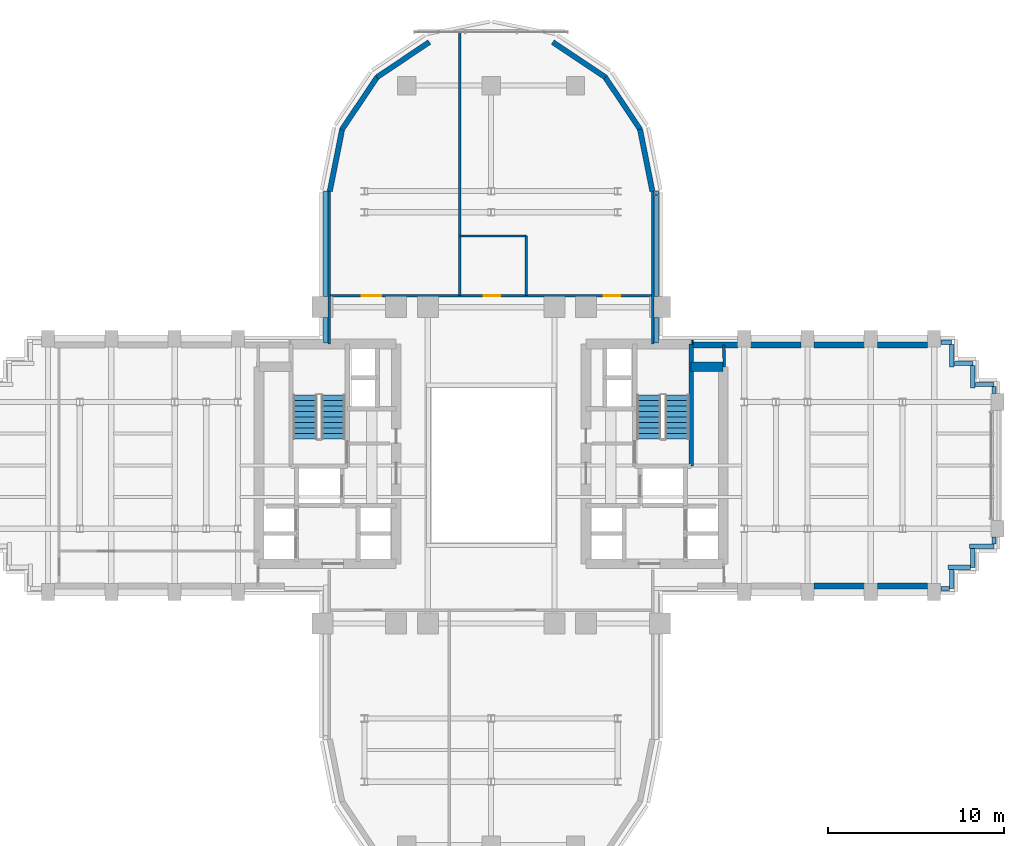
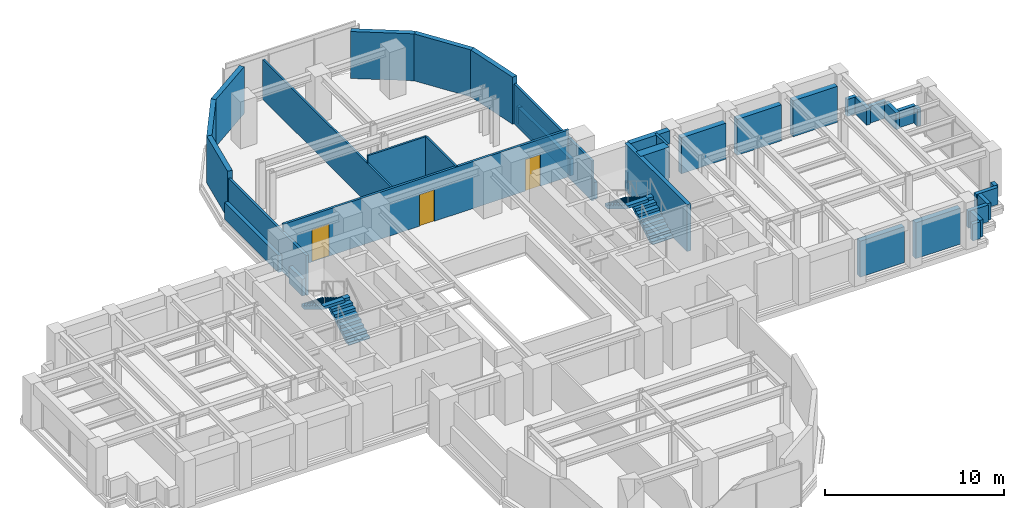
# One storey, part 12 of 16: 39 walls, 4 stair flights, 3 doors, 3 openings, 2 elements without a shape of their own.
"""IFC4 building model written with IfcOpenShell, lengths in metres."""

from ifc_helpers import new_model, si_unit, direction, frame, frame_2d, origin, place, context, subcontext, project, spatial, polyline, rectangle, outline, extrude, source, transform, mapped, material, layer, layer_set, type_object, element, fill, aggregate, save


model = new_model("IFC4")

# Units and contexts
model_context = context("Model", 3, precision=1e-05, world=origin(), true_north=direction((0.0, 1.0)))
body_context = subcontext(model_context, "Body", "Model", "MODEL_VIEW")
ifc_project = project(units=[si_unit("LENGTHUNIT", "METRE"), si_unit("AREAUNIT", "SQUARE_METRE"), si_unit("VOLUMEUNIT", "CUBIC_METRE"), si_unit("PLANEANGLEUNIT", "RADIAN"), si_unit("MASSUNIT", "GRAM", prefix="KILO")], contexts=[model_context])

# Site, building, storey
site_placement = place(None, origin())
site = spatial("IfcSite", under=ifc_project, at=site_placement, CompositionType="ELEMENT")
building_placement = place(site_placement, origin())
building = spatial("IfcBuilding", under=site, at=building_placement, Name="Keilestroom Media Tower", CompositionType="ELEMENT")
storey_placement = place(building_placement, frame((0.0, 0.0, 34.0)))
storey = spatial("IfcBuildingStorey", under=building, at=storey_placement, Name="L07", CompositionType="ELEMENT", Elevation=34.0)

# Walls
ifc_material_1 = material(Name="Precast concrete C40/50", Category="concrete")
ifc_layer_1 = layer(ifc_material_1, 0.300048828125)
ifc_layer_set_1 = layer_set([ifc_layer_1], Name="Precast concrete C40/50")
wall_type_1 = type_object("IfcWallType", Name="Exterior-Masonry-Spandrel-Wall-300", PredefinedType="SOLIDWALL", material=ifc_layer_set_1)
for number, where, z_axis, x_axis, name in (
    (1, (9.1748046875, 15.585205078125, 0.0), (0.0, 0.0, 1.0), (-0.195114232679, 0.980780523974, 0.0), "L07 Lobe Facet Precast Frame Wall 01"),
    (2, (8.48193359375, 19.097412109375, 0.0), (0.0, 0.0, 1.0), (-0.555574187116, 0.831466970246, 0.0), "L07 Lobe Facet Precast Frame Wall 02"),
):
    element("IfcWall", number, at=place(storey_placement, frame(where, z_axis=z_axis, x_axis=x_axis)), inside=storey, type_object=wall_type_1, Name=name, PredefinedType="SOLIDWALL", context=body_context, shape_type="SweptSolid", body=[
        extrude(rectangle(XDim=3.608642578125, YDim=0.300048828125, at=frame_2d((1.80419921875, 0.0))), origin(), (0.0, 0.0, 1.0), 3.199951171875),
    ])
for number, where, z_axis, x_axis, name in (
    (3, (6.497802734375, 22.0771484375, 0.0), (0.0, 0.0, 1.0), (-0.8314749531, 0.555562239868, 0.0), "L07 Lobe Facet Precast Frame Wall 03"),
    (4, (-3.510009765625, 24.073486328125, 0.0), (0.0, 0.0, 1.0), (-0.8314749531, -0.555562239868, 0.0), "L07 Lobe Facet Precast Frame Wall 04"),
):
    element("IfcWall", number, at=place(storey_placement, frame(where, z_axis=z_axis, x_axis=x_axis)), inside=storey, type_object=wall_type_1, Name=name, PredefinedType="SOLIDWALL", context=body_context, shape_type="SweptSolid", body=[
        extrude(rectangle(XDim=3.59326171875, YDim=0.300048828125, at=frame_2d((1.796630859375, 0.0))), origin(), (0.0, 0.0, 1.0), 3.199951171875),
    ])
for number, where, z_axis, x_axis, name in (
    (5, (-6.47705078125, 22.097900390625, 0.0), (0.0, 0.0, 1.0), (-0.555574187116, -0.831466970246, 0.0), "L07 Lobe Facet Precast Frame Wall 05"),
    (6, (-8.470703125, 19.12451171875, 0.0), (0.0, 0.0, 1.0), (-0.195114232679, -0.980780523974, 0.0), "L07 Lobe Facet Precast Frame Wall 06"),
):
    element("IfcWall", number, at=place(storey_placement, frame(where, z_axis=z_axis, x_axis=x_axis)), inside=storey, type_object=wall_type_1, Name=name, PredefinedType="SOLIDWALL", context=body_context, shape_type="SweptSolid", body=[
        extrude(rectangle(XDim=3.608642578125, YDim=0.300048828125, at=frame_2d((1.80419921875, 0.0))), origin(), (0.0, 0.0, 1.0), 3.199951171875),
    ])
ifc_layer_2 = layer(ifc_material_1, 0.340087890625)
ifc_layer_set_2 = layer_set([ifc_layer_2], Name="Precast concrete C40/50")
wall_type_2 = type_object("IfcWallType", Name="Exterior-Masonry-Spandrel-Wall-340", PredefinedType="SOLIDWALL", material=ifc_layer_set_2)
wall_1_placement = place(storey_placement, frame((11.498046875, 6.85009765625, 0.0), z_axis=(0.0, 0.0, 1.0), x_axis=(1.0, 0.0, 0.0)))
element("IfcWall", 7, at=wall_1_placement, inside=storey, type_object=wall_type_2, Name="L07 Flank Masonry Wall EWL-L07-NE-1", PredefinedType="SOLIDWALL", context=body_context, shape_type="SweptSolid", body=[
    extrude(rectangle(XDim=2.534912109375, YDim=0.340087890625, at=frame_2d((1.267578125, 0.0))), origin(), (0.0, 0.0, 1.0), 3.199951171875),
])
for number, where, z_axis, x_axis, name in (
    (8, (14.76708984375, 6.85009765625, 0.0), (0.0, 0.0, 1.0), (1.0, 0.0, 0.0), "L07 Flank Masonry Wall EWL-L07-NE-2"),
    (9, (18.366943359375, 6.85009765625, 0.0), (0.0, 0.0, 1.0), (1.0, 0.0, 0.0), "L07 Flank Masonry Wall EWL-L07-NE-3"),
    (10, (21.967041015625, 6.85009765625, 0.0), (0.0, 0.0, 1.0), (1.0, 0.0, 0.0), "L07 Flank Masonry Wall EWL-L07-NE-4"),
    (11, (18.366943359375, -6.85009765625, 0.0), (0.0, 0.0, 1.0), (1.0, 0.0, 0.0), "L07 Flank Masonry Wall EWL-L07-SE-3"),
    (12, (21.967041015625, -6.85009765625, 0.0), (0.0, 0.0, 1.0), (1.0, 0.0, 0.0), "L07 Flank Masonry Wall EWL-L07-SE-4"),
):
    element("IfcWall", number, at=place(storey_placement, frame(where, z_axis=z_axis, x_axis=x_axis)), inside=storey, type_object=wall_type_2, Name=name, PredefinedType="SOLIDWALL", context=body_context, shape_type="SweptSolid", body=[
        extrude(rectangle(XDim=2.865966796875, YDim=0.340087890625, at=frame_2d((1.43310546875, 0.0))), origin(), (0.0, 0.0, 1.0), 2.449951171875),
    ])
ifc_material_2 = material(Name="Gypsum Plasterboard & Steel Stud", Category="steel")
ifc_layer_3 = layer(ifc_material_2, 0.1201171875)
ifc_layer_set_3 = layer_set([ifc_layer_3], Name="Gypsum Plasterboard & Steel Stud")
wall_type_3 = type_object("IfcWallType", Name="Interior-Partition-Wall-120", PredefinedType="PARTITIONING", material=ifc_layer_set_3)
wall_2_placement = place(storey_placement, frame((-1.780029296875, 9.64990234375, 0.0), z_axis=(0.0, 0.0, 1.0), x_axis=(0.0, 1.0, 0.0)))
element("IfcWall", 13, at=wall_2_placement, inside=storey, type_object=wall_type_3, Name="L07 Interior Wall WP-L07-NL-V1", PredefinedType="PARTITIONING", context=body_context, shape_type="SweptSolid", body=[
    extrude(rectangle(XDim=15.0, YDim=0.1201171875, at=frame_2d((7.5, 0.0))), origin(), (0.0, 0.0, 1.0), 2.7099609375),
])
wall_3_placement = place(storey_placement, frame((-1.780029296875, 13.050048828125, 0.0), z_axis=(0.0, 0.0, 1.0), x_axis=(1.0, 0.0, 0.0)))
element("IfcWall", 14, at=wall_3_placement, inside=storey, type_object=wall_type_3, Name="L07 Interior Wall WP-L07-NL-WC-N", PredefinedType="PARTITIONING", context=body_context, shape_type="SweptSolid", body=[
    extrude(rectangle(XDim=3.780029296875, YDim=0.1201171875, at=frame_2d((1.89013671875, 0.0))), origin(), (0.0, 0.0, 1.0), 3.199951171875),
])
wall_4_placement = place(storey_placement, frame((2.0, 9.64990234375, 0.0), z_axis=(0.0, 0.0, 1.0), x_axis=(0.0, 1.0, 0.0)))
element("IfcWall", 15, at=wall_4_placement, inside=storey, type_object=wall_type_3, Name="L07 Interior Wall WP-L07-NL-WC-E", PredefinedType="PARTITIONING", context=body_context, shape_type="SweptSolid", body=[
    extrude(rectangle(XDim=3.400146484375, YDim=0.1201171875, at=frame_2d((1.7001953125, 0.0))), origin(), (0.0, 0.0, 1.0), 3.199951171875),
])

# Wall, openings, doors
ifc_layer_4 = layer(ifc_material_2, 0.14990234375)
ifc_layer_set_4 = layer_set([ifc_layer_4], Name="Gypsum Plasterboard & Steel Stud")
wall_type_4 = type_object("IfcWallType", Name="Interior-Partition-Wall-150", PredefinedType="PARTITIONING", material=ifc_layer_set_4)
wall_5_placement = place(storey_placement, frame((-9.199951171875, 9.64990234375, 0.0), z_axis=(0.0, 0.0, 1.0), x_axis=(1.0, 0.0, 0.0)))
wall_5 = element("IfcWall", 16, at=wall_5_placement, inside=storey, type_object=wall_type_4, Name="L07 Interior Wall WP-L07-NL-BASE", PredefinedType="PARTITIONING", context=body_context, shape_type="SweptSolid", body=[
    extrude(rectangle(XDim=18.39990234375, YDim=0.14990234375, at=frame_2d((9.199951171875, 0.0))), origin(), (0.0, 0.0, 1.0), 3.199951171875),
])
opening_1_placement = place(wall_5_placement, frame((8.77001953125, 0.0, 0.0)))
opening_1 = element("IfcOpeningElement", 17, at=opening_1_placement, cuts=wall_5, Name="Opening DI-03", PredefinedType="OPENING", context=body_context, shape_type="SweptSolid", body=[
    extrude(rectangle(XDim=0.949951171875, YDim=2.14990234375, at=frame_2d((0.47509765625, 1.074951171875))), frame((0.0, 0.0849609375, 0.0), z_axis=(0.0, -1.0, 0.0), x_axis=(1.0, 0.0, 0.0)), (0.0, 0.0, 1.0), 0.169921875),
])
opening_2_placement = place(wall_5_placement, frame((1.85009765625, 0.0, 0.0)))
opening_2 = element("IfcOpeningElement", 18, at=opening_2_placement, cuts=wall_5, Name="Opening DI-04", PredefinedType="OPENING", context=body_context, shape_type="SweptSolid", body=[
    extrude(rectangle(XDim=1.10009765625, YDim=2.199951171875, at=frame_2d((0.550048828125, 1.10009765625))), frame((0.0, 0.0849609375, 0.0), z_axis=(0.0, -1.0, 0.0), x_axis=(1.0, 0.0, 0.0)), (0.0, 0.0, 1.0), 0.169921875),
])
opening_3_placement = place(wall_5_placement, frame((15.60009765625, 0.0, 0.0)))
opening_3 = element("IfcOpeningElement", 19, at=opening_3_placement, cuts=wall_5, Name="Opening DI-03", PredefinedType="OPENING", context=body_context, shape_type="SweptSolid", body=[
    extrude(rectangle(XDim=0.949951171875, YDim=2.14990234375, at=frame_2d((0.47509765625, 1.074951171875))), frame((0.0, 0.0849609375, 0.0), z_axis=(0.0, -1.0, 0.0), x_axis=(1.0, 0.0, 0.0)), (0.0, 0.0, 1.0), 0.169921875),
])
ifc_material_3 = material(Name="Lacquered European Oak Leaf", Category="wood")
door_type_1 = type_object("IfcDoorType", Name="Interior-Room-And-Suite-Door-DI-03", OperationType="NOTDEFINED", PredefinedType="DOOR", material=ifc_material_3)
shared_shape_1 = source(origin(), body_context, "Body", "SweptSolid", [
    extrude(rectangle(XDim=0.949951171875, YDim=2.14990234375, at=frame_2d((0.47509765625, 1.074951171875))), frame((0.0, 0.02490234375, 0.0), z_axis=(0.0, -1.0, 0.0), x_axis=(1.0, 0.0, 0.0)), (0.0, 0.0, 1.0), 0.050048828125),
])
door_1_placement = place(opening_1_placement, origin())
door_1 = element("IfcDoor", 20, at=door_1_placement, inside=storey, type_object=door_type_1, Name="L07 Interior Door DI-L07-DNL-WC", OperationType="SINGLE_SWING_LEFT", OverallHeight=2.14990234375, OverallWidth=0.949951171875, PredefinedType="DOOR", context=body_context, shape_type="MappedRepresentation", body=[
    mapped(shared_shape_1, transform((0.0, 0.0, 0.0), x_axis=(1.0, 0.0, 0.0), y_axis=(0.0, 1.0, 0.0), z_axis=(0.0, 0.0, 1.0), scale=1.0)),
])
fill(opening_1, door_1)
door_2_placement = place(opening_3_placement, origin())
door_2 = element("IfcDoor", 21, at=door_2_placement, inside=storey, type_object=door_type_1, Name="L07 Interior Door DI-L07-DNL-B", OperationType="SINGLE_SWING_LEFT", OverallHeight=2.14990234375, OverallWidth=0.949951171875, PredefinedType="DOOR", context=body_context, shape_type="MappedRepresentation", body=[
    mapped(shared_shape_1, transform((0.0, 0.0, 0.0), x_axis=(1.0, 0.0, 0.0), y_axis=(0.0, 1.0, 0.0), z_axis=(0.0, 0.0, 1.0), scale=1.0)),
])
fill(opening_3, door_2)
ifc_material_4 = material(Name="Acoustic Glazed Aluminium Leaf", Category="aluminium")
door_type_2 = type_object("IfcDoorType", Name="Interior-Room-And-Suite-Door-DI-04", OperationType="NOTDEFINED", PredefinedType="DOOR", material=ifc_material_4)
shared_shape_2 = source(origin(), body_context, "Body", "SweptSolid", [
    extrude(rectangle(XDim=1.10009765625, YDim=2.199951171875, at=frame_2d((0.550048828125, 1.10009765625))), frame((0.0, 0.02490234375, 0.0), z_axis=(0.0, -1.0, 0.0), x_axis=(1.0, 0.0, 0.0)), (0.0, 0.0, 1.0), 0.050048828125),
])
door_3_placement = place(opening_2_placement, origin())
door_3 = element("IfcDoor", 22, at=door_3_placement, inside=storey, type_object=door_type_2, Name="L07 Interior Door DI-L07-DNL-A", OperationType="SINGLE_SWING_RIGHT", OverallHeight=2.199951171875, OverallWidth=1.10009765625, PredefinedType="DOOR", context=body_context, shape_type="MappedRepresentation", body=[
    mapped(shared_shape_2, transform((0.0, 0.0, 0.0), x_axis=(1.0, 0.0, 0.0), y_axis=(0.0, 1.0, 0.0), z_axis=(0.0, 0.0, 1.0), scale=1.0)),
])
fill(opening_2, door_3)

# Walls
for number, where, z_axis, x_axis, name in (
    (23, (-9.199951171875, 6.89990234375, 0.0), (0.0, 0.0, 1.0), (0.0, 1.0, 0.0), "L07 Interior Wall WP-L07-NL-CHKW"),
    (24, (9.199951171875, 6.89990234375, 0.0), (0.0, 0.0, 1.0), (0.0, 1.0, 0.0), "L07 Interior Wall WP-L07-NL-CHKE"),
):
    element("IfcWall", number, at=place(storey_placement, frame(where, z_axis=z_axis, x_axis=x_axis)), inside=storey, type_object=wall_type_4, Name=name, PredefinedType="PARTITIONING", context=body_context, shape_type="SweptSolid", body=[
        extrude(rectangle(XDim=8.780029296875, YDim=0.14990234375, at=frame_2d((4.39013671875, 0.0))), origin(), (0.0, 0.0, 1.0), 2.7099609375),
    ])
wall_6_placement = place(storey_placement, frame((13.260009765625, 5.60009765625, 0.0), z_axis=(0.0, 0.0, 1.0), x_axis=(-0.016013571389, 0.999871774545, 0.0)))
element("IfcWall", 25, at=wall_6_placement, inside=storey, type_object=wall_type_4, Name="L07 Interior Wall WP-L07-EA-ENTN", PredefinedType="PARTITIONING", context=body_context, shape_type="SweptSolid", body=[
    extrude(rectangle(XDim=1.250244140625, YDim=0.14990234375, at=frame_2d((0.625, 0.0))), origin(), (0.0, 0.0, 1.0), 3.199951171875),
])
ifc_material_5 = material(Name="Concrete C70/85", Category="concrete")
ifc_layer_5 = layer(ifc_material_5, 0.550048828125)
ifc_layer_set_5 = layer_set([ifc_layer_5], Name="Concrete C70/85")
wall_type_5 = type_object("IfcWallType", Name="Reinforced-Concrete-Core-Shear-Wall-550", PredefinedType="SHEAR", material=ifc_layer_set_5)
wall_7_placement = place(storey_placement, frame((11.381103515625, 5.60009765625, 0.0), z_axis=(0.0, 0.0, 1.0), x_axis=(1.0, 0.0, 0.0)))
element("IfcWall", 26, at=wall_7_placement, inside=storey, type_object=wall_type_5, Name="L07 Core Shear Wall WL-L07-CNE-N", PredefinedType="SHEAR", context=body_context, shape_type="SweptSolid", body=[
    extrude(rectangle(XDim=1.81884765625, YDim=0.550048828125, at=frame_2d((0.909423828125, 0.0))), origin(), (0.0, 0.0, 1.0), 3.199951171875),
])
ifc_material_6 = material(Name="Concrete C50/60", Category="concrete")
ifc_layer_6 = layer(ifc_material_6, 0.25)
ifc_layer_set_6 = layer_set([ifc_layer_6], Name="Concrete C50/60")
wall_type_6 = type_object("IfcWallType", Name="Reinforced-Concrete-Shaft-Wall-250", PredefinedType="SOLIDWALL", material=ifc_layer_set_6)
wall_8_placement = place(storey_placement, frame((11.381103515625, -0.041015625, 0.0), z_axis=(0.0, 0.0, 1.0), x_axis=(0.0, 1.0, 0.0)))
element("IfcWall", 27, at=wall_8_placement, inside=storey, type_object=wall_type_6, Name="L07 Core Shear Wall WL-L07-STW-E-FAR", PredefinedType="SOLIDWALL", context=body_context, shape_type="SweptSolid", body=[
    extrude(rectangle(XDim=6.94091796875, YDim=0.25, at=frame_2d((3.470458984375, 0.0))), origin(), (0.0, 0.0, 1.0), 3.199951171875),
])
ifc_layer_7 = layer(ifc_material_1, 0.239990234375)
ifc_layer_set_7 = layer_set([ifc_layer_7], Name="Precast concrete C40/50")
wall_type_7 = type_object("IfcWallType", Name="Roof-And-Terrace-Parapet-Wall-240", PredefinedType="PARAPET", material=ifc_layer_set_7)
wall_9_placement = place(storey_placement, frame((28.60009765625, -4.60009765625, 0.0), z_axis=(0.0, 0.0, 1.0), x_axis=(-1.0, 0.0, 0.0)))
element("IfcWall", 28, at=wall_9_placement, inside=storey, type_object=wall_type_7, Name="L07 Perimeter Edge Parapet Wall 01", PredefinedType="PARAPET", context=body_context, shape_type="SweptSolid", body=[
    extrude(rectangle(XDim=1.400146484375, YDim=0.239990234375, at=frame_2d((0.7001953125, 0.0))), origin(), (0.0, 0.0, 1.0), 1.14990234375),
])
wall_10_placement = place(storey_placement, frame((27.39990234375, -4.722900390625, 0.0), z_axis=(0.0, 0.0, 1.0), x_axis=(0.0, -1.0, 0.0)))
element("IfcWall", 29, at=wall_10_placement, inside=storey, type_object=wall_type_7, Name="L07 Perimeter Edge Parapet Wall 02", PredefinedType="PARAPET", context=body_context, shape_type="SweptSolid", body=[
    extrude(rectangle(XDim=1.0771484375, YDim=0.239990234375, at=frame_2d((0.53857421875, 0.0))), origin(), (0.0, 0.0, 1.0), 1.14990234375),
])
wall_11_placement = place(storey_placement, frame((27.277099609375, -5.800048828125, 0.0), z_axis=(0.0, 0.0, 1.0), x_axis=(-1.0, 0.0, 0.0)))
element("IfcWall", 30, at=wall_11_placement, inside=storey, type_object=wall_type_7, Name="L07 Perimeter Edge Parapet Wall 03", PredefinedType="PARAPET", context=body_context, shape_type="SweptSolid", body=[
    extrude(rectangle(XDim=1.277099609375, YDim=0.239990234375, at=frame_2d((0.638671875, 0.0))), origin(), (0.0, 0.0, 1.0), 1.14990234375),
])
wall_12_placement = place(storey_placement, frame((26.199951171875, -5.923095703125, 0.0), z_axis=(0.0, 0.0, 1.0), x_axis=(0.0, -1.0, 0.0)))
element("IfcWall", 31, at=wall_12_placement, inside=storey, type_object=wall_type_7, Name="L07 Perimeter Edge Parapet Wall 04", PredefinedType="PARAPET", context=body_context, shape_type="SweptSolid", body=[
    extrude(rectangle(XDim=1.076904296875, YDim=0.239990234375, at=frame_2d((0.53857421875, 0.0))), origin(), (0.0, 0.0, 1.0), 1.14990234375),
])
wall_13_placement = place(storey_placement, frame((26.076904296875, -7.0, 0.0), z_axis=(0.0, 0.0, 1.0), x_axis=(-1.0, 0.0, 0.0)))
element("IfcWall", 32, at=wall_13_placement, inside=storey, type_object=wall_type_7, Name="L07 Perimeter Edge Parapet Wall 05", PredefinedType="PARAPET", context=body_context, shape_type="SweptSolid", body=[
    extrude(rectangle(XDim=0.4990234375, YDim=0.239990234375, at=frame_2d((0.24951171875, 0.0))), origin(), (0.0, 0.0, 1.0), 1.14990234375),
])
wall_14_placement = place(storey_placement, frame((-9.39990234375, 6.952880859375, 0.0), z_axis=(0.0, 0.0, 1.0), x_axis=(0.0, 1.0, 0.0)))
element("IfcWall", 33, at=wall_14_placement, inside=storey, type_object=wall_type_7, Name="L07 Perimeter Edge Parapet Wall 26", PredefinedType="PARAPET", context=body_context, shape_type="SweptSolid", body=[
    extrude(rectangle(XDim=1.444091796875, YDim=0.239990234375, at=frame_2d((0.72216796875, 0.0))), origin(), (0.0, 0.0, 1.0), 1.14990234375),
])
wall_15_placement = place(storey_placement, frame((-9.39990234375, 9.60302734375, 0.0), z_axis=(0.0, 0.0, 1.0), x_axis=(0.0, 1.0, 0.0)))
element("IfcWall", 34, at=wall_15_placement, inside=storey, type_object=wall_type_7, Name="L07 Perimeter Edge Parapet Wall 27", PredefinedType="PARAPET", context=body_context, shape_type="SweptSolid", body=[
    extrude(rectangle(XDim=5.999755859375, YDim=0.239990234375, at=frame_2d((3.0, 0.0))), origin(), (0.0, 0.0, 1.0), 1.14990234375),
])
wall_16_placement = place(storey_placement, frame((9.395263671875, 15.604248046875, 0.0), z_axis=(0.0, 0.0, 1.0), x_axis=(0.194652052864, -0.980872355771, 0.0)))
element("IfcWall", 35, at=wall_16_placement, inside=storey, type_object=wall_type_7, Name="L07 Perimeter Edge Parapet Wall 28", PredefinedType="PARAPET", context=body_context, shape_type="SweptSolid", body=[
    extrude(rectangle(XDim=0.224609375, YDim=0.239990234375, at=frame_2d((0.1123046875, 0.0))), origin(), (0.0, 0.0, 1.0), 1.14990234375),
])
wall_17_placement = place(storey_placement, frame((9.39990234375, 15.357666015625, 0.0), z_axis=(0.0, 0.0, 1.0), x_axis=(0.0, -1.0, 0.0)))
element("IfcWall", 36, at=wall_17_placement, inside=storey, type_object=wall_type_7, Name="L07 Perimeter Edge Parapet Wall 29", PredefinedType="PARAPET", context=body_context, shape_type="SweptSolid", body=[
    extrude(rectangle(XDim=5.754638671875, YDim=0.239990234375, at=frame_2d((2.87744140625, 0.0))), origin(), (0.0, 0.0, 1.0), 1.14990234375),
])
wall_18_placement = place(storey_placement, frame((9.39990234375, 8.39697265625, 0.0), z_axis=(0.0, 0.0, 1.0), x_axis=(0.0, -1.0, 0.0)))
element("IfcWall", 37, at=wall_18_placement, inside=storey, type_object=wall_type_7, Name="L07 Perimeter Edge Parapet Wall 30", PredefinedType="PARAPET", context=body_context, shape_type="SweptSolid", body=[
    extrude(rectangle(XDim=1.444091796875, YDim=0.239990234375, at=frame_2d((0.72216796875, 0.0))), origin(), (0.0, 0.0, 1.0), 1.14990234375),
])
wall_19_placement = place(storey_placement, frame((11.403076171875, 7.0, 0.0), z_axis=(0.0, 0.0, 1.0), x_axis=(1.0, 0.0, 0.0)))
element("IfcWall", 38, at=wall_19_placement, inside=storey, type_object=wall_type_7, Name="L07 Perimeter Edge Parapet Wall 31", PredefinedType="PARAPET", context=body_context, shape_type="SweptSolid", body=[
    extrude(rectangle(XDim=0.092041015625, YDim=0.239990234375, at=frame_2d((0.0458984375, 0.0))), origin(), (0.0, 0.0, 1.0), 1.14990234375),
])
wall_20_placement = place(storey_placement, frame((25.577880859375, 7.0, 0.0), z_axis=(0.0, 0.0, 1.0), x_axis=(1.0, 0.0, 0.0)))
element("IfcWall", 39, at=wall_20_placement, inside=storey, type_object=wall_type_7, Name="L07 Perimeter Edge Parapet Wall 32", PredefinedType="PARAPET", context=body_context, shape_type="SweptSolid", body=[
    extrude(rectangle(XDim=0.6220703125, YDim=0.239990234375, at=frame_2d((0.31103515625, 0.0))), origin(), (0.0, 0.0, 1.0), 1.14990234375),
])
wall_21_placement = place(storey_placement, frame((26.199951171875, 6.876953125, 0.0), z_axis=(0.0, 0.0, 1.0), x_axis=(0.0, -1.0, 0.0)))
element("IfcWall", 40, at=wall_21_placement, inside=storey, type_object=wall_type_7, Name="L07 Perimeter Edge Parapet Wall 33", PredefinedType="PARAPET", context=body_context, shape_type="SweptSolid", body=[
    extrude(rectangle(XDim=1.27685546875, YDim=0.239990234375, at=frame_2d((0.638427734375, 0.0))), origin(), (0.0, 0.0, 1.0), 1.14990234375),
])
wall_22_placement = place(storey_placement, frame((26.322998046875, 5.800048828125, 0.0), z_axis=(0.0, 0.0, 1.0), x_axis=(1.0, 0.0, 0.0)))
element("IfcWall", 41, at=wall_22_placement, inside=storey, type_object=wall_type_7, Name="L07 Perimeter Edge Parapet Wall 34", PredefinedType="PARAPET", context=body_context, shape_type="SweptSolid", body=[
    extrude(rectangle(XDim=1.076904296875, YDim=0.239990234375, at=frame_2d((0.53857421875, 0.0))), origin(), (0.0, 0.0, 1.0), 1.14990234375),
])
wall_23_placement = place(storey_placement, frame((27.39990234375, 5.677001953125, 0.0), z_axis=(0.0, 0.0, 1.0), x_axis=(0.0, -1.0, 0.0)))
element("IfcWall", 42, at=wall_23_placement, inside=storey, type_object=wall_type_7, Name="L07 Perimeter Edge Parapet Wall 35", PredefinedType="PARAPET", context=body_context, shape_type="SweptSolid", body=[
    extrude(rectangle(XDim=1.277099609375, YDim=0.239990234375, at=frame_2d((0.638671875, 0.0))), origin(), (0.0, 0.0, 1.0), 1.14990234375),
])
wall_24_placement = place(storey_placement, frame((27.52294921875, 4.60009765625, 0.0), z_axis=(0.0, 0.0, 1.0), x_axis=(1.0, 0.0, 0.0)))
element("IfcWall", 43, at=wall_24_placement, inside=storey, type_object=wall_type_7, Name="L07 Perimeter Edge Parapet Wall 36", PredefinedType="PARAPET", context=body_context, shape_type="SweptSolid", body=[
    extrude(rectangle(XDim=1.0771484375, YDim=0.239990234375, at=frame_2d((0.53857421875, 0.0))), origin(), (0.0, 0.0, 1.0), 1.14990234375),
])
for number, where, z_axis, x_axis, name in (
    (44, (28.60009765625, 4.47705078125, 0.0), (0.0, 0.0, 1.0), (0.0, -1.0, 0.0), "L07 Perimeter Edge Parapet Wall 37"),
    (45, (28.60009765625, -4.077880859375, 0.0), (0.0, 0.0, 1.0), (0.0, -1.0, 0.0), "L07 Perimeter Edge Parapet Wall 38"),
):
    element("IfcWall", number, at=place(storey_placement, frame(where, z_axis=z_axis, x_axis=x_axis)), inside=storey, type_object=wall_type_7, Name=name, PredefinedType="PARAPET", context=body_context, shape_type="SweptSolid", body=[
        extrude(rectangle(XDim=0.399169921875, YDim=0.239990234375, at=frame_2d((0.19970703125, 0.0))), origin(), (0.0, 0.0, 1.0), 1.14990234375),
    ])

# Stair, stair flights
ifc_material_7 = material(Name="Concrete C45/55", Category="concrete")
stair_type = type_object("IfcStairType", Name="Enclosed-Dog-Leg-Stair-ST-CORE", PredefinedType="HALF_TURN_STAIR", material=ifc_material_7)
stair_1_placement = place(storey_placement, origin())
stair_1 = element("IfcStair", 46, at=stair_1_placement, inside=storey, type_object=stair_type, Name="L07 West Core Escape Stair ST-1", PredefinedType="HALF_TURN_STAIR")
stair_flight_type = type_object("IfcStairFlightType", Name="Precast-Concrete-Stair-Flight-Core-160", PredefinedType="STRAIGHT", material=ifc_material_1)
stair_flight_1_placement = place(storey_placement, frame((-8.97998046875, 1.5, 0.0), z_axis=(0.0, 0.0, 1.0), x_axis=(0.0, 1.0, 0.0)))
stair_flight_1 = element("IfcStairFlight", 47, at=stair_flight_1_placement, type_object=stair_flight_type, Name="ST-1 flight 1", NumberOfRisers=9, NumberOfTreads=8, PredefinedType="STRAIGHT", RiserHeight=0.188888889, TreadLength=0.312, context=body_context, shape_type="SweptSolid", body=[
    extrude(outline(polyline([(0.0, 0.0), (0.0, 0.18896484375), (0.31201171875, 0.18896484375), (0.31201171875, 0.377685546875), (0.6240234375, 0.377685546875), (0.6240234375, 0.566650390625), (0.93603515625, 0.566650390625), (0.93603515625, 0.755615234375), (1.248046875, 0.755615234375), (1.248046875, 0.9443359375), (1.56005859375, 0.9443359375), (1.56005859375, 1.13330078125), (1.8720703125, 1.13330078125), (1.8720703125, 1.322265625), (2.18408203125, 1.322265625), (2.18408203125, 1.51123046875), (2.49609375, 1.51123046875), (2.49609375, 1.699951171875), (2.49609375, 1.32421875), (0.308837890625, 0.0), (0.0, 0.0)])), frame((0.0, 0.68017578125, 0.0), z_axis=(0.0, -1.0, 0.0), x_axis=(1.0, 0.0, 0.0)), (0.0, 0.0, 1.0), 1.360107421875),
])
stair_flight_2_placement = place(storey_placement, frame((-10.580078125, 3.99609375, 1.699951171875), z_axis=(0.0, 0.0, 1.0), x_axis=(0.0, -1.0, 0.0)))
stair_flight_2 = element("IfcStairFlight", 48, at=stair_flight_2_placement, type_object=stair_flight_type, Name="ST-1 flight 2", NumberOfRisers=9, NumberOfTreads=8, PredefinedType="STRAIGHT", RiserHeight=0.188888889, TreadLength=0.312, context=body_context, shape_type="SweptSolid", body=[
    extrude(outline(polyline([(0.0, 0.0), (0.0, 0.18896484375), (0.31201171875, 0.18896484375), (0.31201171875, 0.377685546875), (0.6240234375, 0.377685546875), (0.6240234375, 0.566650390625), (0.93603515625, 0.566650390625), (0.93603515625, 0.755615234375), (1.248046875, 0.755615234375), (1.248046875, 0.9443359375), (1.56005859375, 0.9443359375), (1.56005859375, 1.13330078125), (1.8720703125, 1.13330078125), (1.8720703125, 1.322265625), (2.18408203125, 1.322265625), (2.18408203125, 1.51123046875), (2.49609375, 1.51123046875), (2.49609375, 1.699951171875), (2.49609375, 1.32421875), (0.308837890625, 0.0), (0.0, 0.0)])), frame((0.0, 0.68017578125, 0.0), z_axis=(0.0, -1.0, 0.0), x_axis=(1.0, 0.0, 0.0)), (0.0, 0.0, 1.0), 1.360107421875),
])
aggregate(stair_1, [stair_flight_1, stair_flight_2])

stair_2_placement = place(storey_placement, origin())
stair_2 = element("IfcStair", 49, at=stair_2_placement, inside=storey, type_object=stair_type, Name="L07 East Core Escape Stair ST-2", PredefinedType="HALF_TURN_STAIR")
stair_flight_3_placement = place(storey_placement, frame((10.580078125, 1.5, 0.0), z_axis=(0.0, 0.0, 1.0), x_axis=(0.0, 1.0, 0.0)))
stair_flight_3 = element("IfcStairFlight", 50, at=stair_flight_3_placement, type_object=stair_flight_type, Name="ST-2 flight 1", NumberOfRisers=9, NumberOfTreads=8, PredefinedType="STRAIGHT", RiserHeight=0.188888889, TreadLength=0.312, context=body_context, shape_type="SweptSolid", body=[
    extrude(outline(polyline([(0.0, 0.0), (0.0, 0.18896484375), (0.31201171875, 0.18896484375), (0.31201171875, 0.377685546875), (0.6240234375, 0.377685546875), (0.6240234375, 0.566650390625), (0.93603515625, 0.566650390625), (0.93603515625, 0.755615234375), (1.248046875, 0.755615234375), (1.248046875, 0.9443359375), (1.56005859375, 0.9443359375), (1.56005859375, 1.13330078125), (1.8720703125, 1.13330078125), (1.8720703125, 1.322265625), (2.18408203125, 1.322265625), (2.18408203125, 1.51123046875), (2.49609375, 1.51123046875), (2.49609375, 1.699951171875), (2.49609375, 1.32421875), (0.308837890625, 0.0), (0.0, 0.0)])), frame((0.0, 0.68017578125, 0.0), z_axis=(0.0, -1.0, 0.0), x_axis=(1.0, 0.0, 0.0)), (0.0, 0.0, 1.0), 1.360107421875),
])
stair_flight_4_placement = place(storey_placement, frame((8.97998046875, 3.99609375, 1.699951171875), z_axis=(0.0, 0.0, 1.0), x_axis=(0.0, -1.0, 0.0)))
stair_flight_4 = element("IfcStairFlight", 51, at=stair_flight_4_placement, type_object=stair_flight_type, Name="ST-2 flight 2", NumberOfRisers=9, NumberOfTreads=8, PredefinedType="STRAIGHT", RiserHeight=0.188888889, TreadLength=0.312, context=body_context, shape_type="SweptSolid", body=[
    extrude(outline(polyline([(0.0, 0.0), (0.0, 0.18896484375), (0.31201171875, 0.18896484375), (0.31201171875, 0.377685546875), (0.6240234375, 0.377685546875), (0.6240234375, 0.566650390625), (0.93603515625, 0.566650390625), (0.93603515625, 0.755615234375), (1.248046875, 0.755615234375), (1.248046875, 0.9443359375), (1.56005859375, 0.9443359375), (1.56005859375, 1.13330078125), (1.8720703125, 1.13330078125), (1.8720703125, 1.322265625), (2.18408203125, 1.322265625), (2.18408203125, 1.51123046875), (2.49609375, 1.51123046875), (2.49609375, 1.699951171875), (2.49609375, 1.32421875), (0.308837890625, 0.0), (0.0, 0.0)])), frame((0.0, 0.68017578125, 0.0), z_axis=(0.0, -1.0, 0.0), x_axis=(1.0, 0.0, 0.0)), (0.0, 0.0, 1.0), 1.360107421875),
])
aggregate(stair_2, [stair_flight_3, stair_flight_4])

save(model, "model.ifc")
